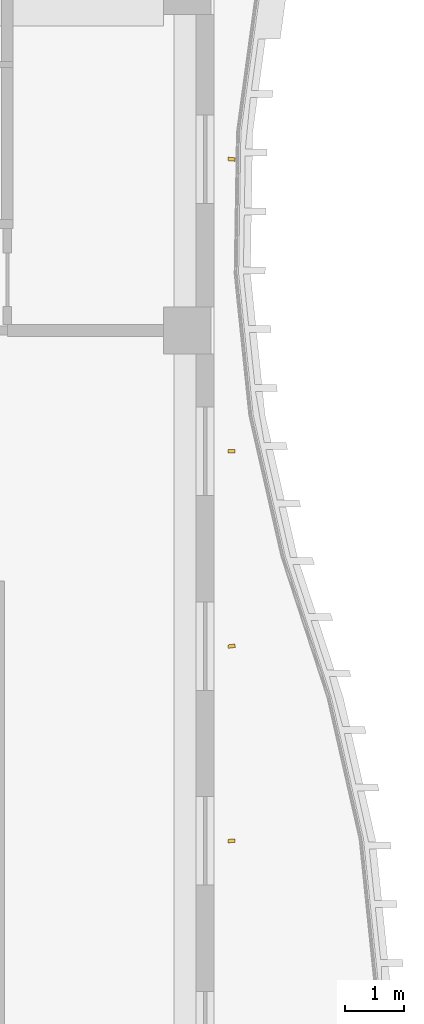
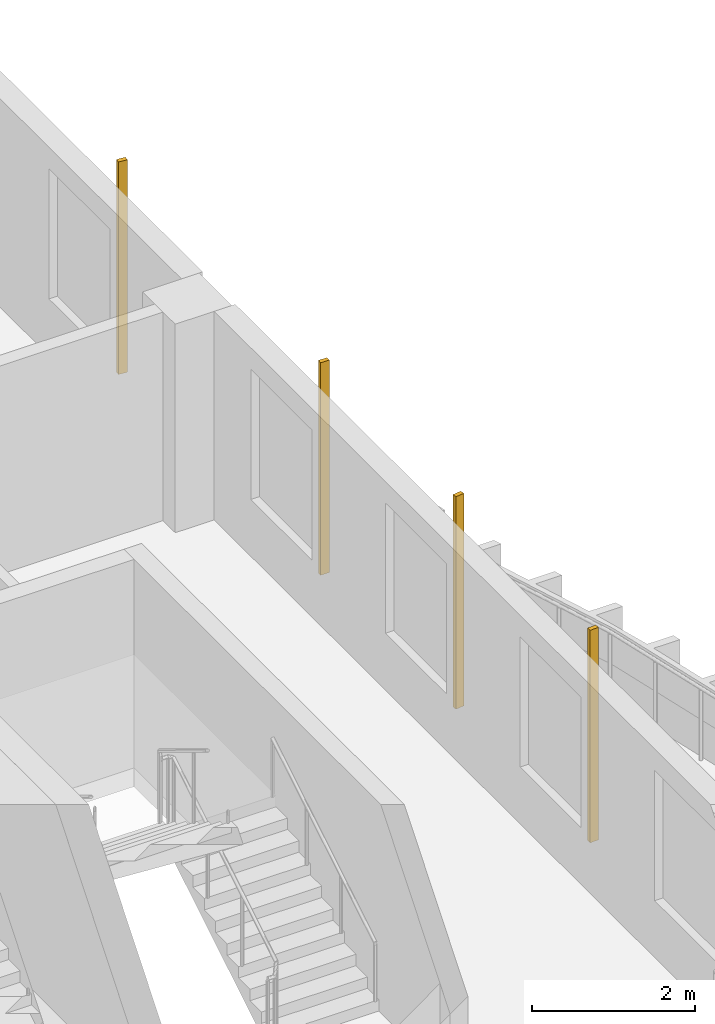
# One storey, part 23 of 23: 4 shading devices.
"""IFC4 building model written with IfcOpenShell, lengths in metres."""

from ifc_helpers import new_model, si_unit, direction, frame, origin, origin_2d, place, context, subcontext, project, spatial, rectangle, extrude, source, transform, mapped, material, material_profile, profile_set, type_object, element, save


model = new_model("IFC4")

# Units and contexts
model_context = context("Model", 3, precision=1e-05, world=origin(), true_north=direction((0.0, 1.0)))
body_context = subcontext(model_context, "Body", "Model", "MODEL_VIEW")
ifc_project = project(units=[si_unit("LENGTHUNIT", "METRE"), si_unit("AREAUNIT", "SQUARE_METRE"), si_unit("VOLUMEUNIT", "CUBIC_METRE"), si_unit("PLANEANGLEUNIT", "RADIAN"), si_unit("MASSUNIT", "GRAM", prefix="KILO")], contexts=[model_context])

# Site, building, storey
site_placement = place(None, origin())
site = spatial("IfcSite", under=ifc_project, at=site_placement, CompositionType="ELEMENT")
building_placement = place(site_placement, origin())
building = spatial("IfcBuilding", under=site, at=building_placement, Name="Kilnfold Tower and Market Hall", CompositionType="ELEMENT")
storey_placement = place(building_placement, frame((0.0, 0.0, 150.699951171875)))
storey = spatial("IfcBuildingStorey", under=building, at=storey_placement, Name="L34", CompositionType="ELEMENT", Elevation=150.699951171875)

# Shading devices
ifc_material = material(Name="Terracotta", Category="masonry")
ifc_material_profile = material_profile(ifc_material, rectangle(XDim=0.06005859375, YDim=0.1201171875, at=origin_2d()), Name="BAG 60x120")
ifc_profile_set = profile_set([ifc_material_profile], Name="Terracotta")
shading_device_type = type_object("IfcShadingDeviceType", Name="BAGUETTE", PredefinedType="USERDEFINED", material=ifc_profile_set)
shared_shape = source(origin(), body_context, "Body", "SweptSolid", [
    extrude(rectangle(XDim=0.06005859375, YDim=0.1201171875, at=origin_2d()), origin(), (0.0, 0.0, 1.0), 3.179931640625),
])
for number, where, z_axis, x_axis, name in (
    (1, (25.550048828125, 13.35009765625, 0.0), (0.0, 0.0, 1.0), (-0.045610568357, 0.998959296495, 0.0), "Terracotta baguette L34 E"),
    (2, (25.550048828125, 16.64990234375, 0.0), (0.0, 0.0, 1.0), (-0.135105145756, 0.990831266962, 0.0), "Terracotta baguette L34 E"),
    (3, (25.550048828125, 19.949951171875, 0.0), (0.0, 0.0, 1.0), (0.021329796419, 0.999772494013, 0.0), "Terracotta baguette L34 E"),
    (4, (25.550048828125, 24.89990234375, 0.0), (0.0, 0.0, 1.0), (0.096712625818, 0.995312346958, 0.0), "Terracotta baguette L34 E"),
):
    element("IfcShadingDevice", number, at=place(storey_placement, frame(where, z_axis=z_axis, x_axis=x_axis)), inside=storey, type_object=shading_device_type, Name=name, ObjectType="BAGUETTE", PredefinedType="USERDEFINED", context=body_context, shape_type="MappedRepresentation", body=[
        mapped(shared_shape, transform((0.0, 0.0, 0.0))),
    ])

save(model, "model.ifc")
